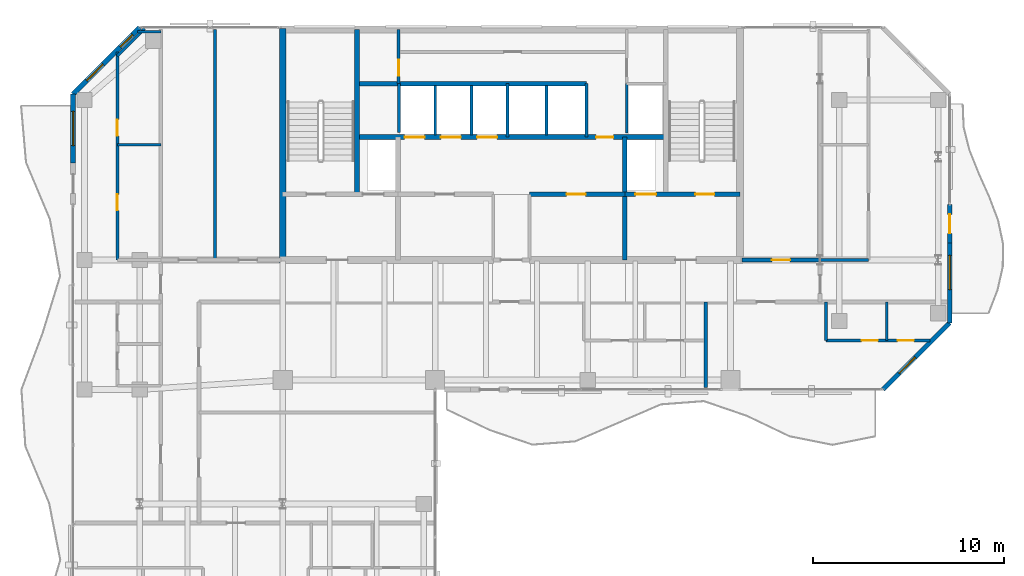
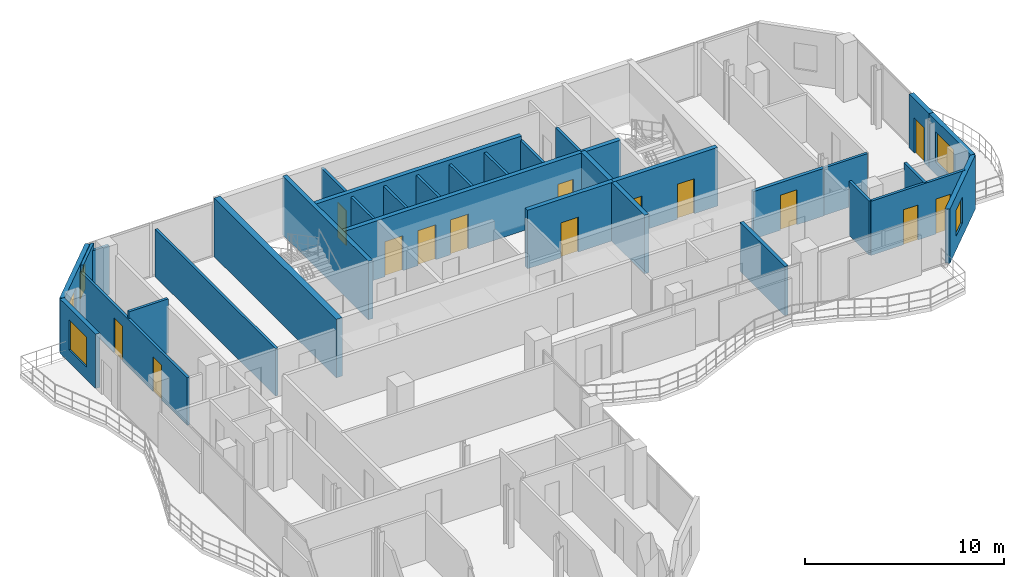
# One storey, part 19 of 23: 31 walls, 14 doors, 5 windows, 19 openings.
"""IFC4 building model written with IfcOpenShell, lengths in metres."""

from ifc_helpers import new_model, si_unit, direction, frame, frame_2d, origin, place, context, subcontext, project, spatial, rectangle, extrude, material, layer, layer_set, type_object, element, fill, save


model = new_model("IFC4")

# Units and contexts
model_context = context("Model", 3, precision=1e-05, world=origin(), true_north=direction((0.0, 1.0)))
body_context = subcontext(model_context, "Body", "Model", "MODEL_VIEW")
ifc_project = project(units=[si_unit("LENGTHUNIT", "METRE"), si_unit("AREAUNIT", "SQUARE_METRE"), si_unit("VOLUMEUNIT", "CUBIC_METRE"), si_unit("PLANEANGLEUNIT", "RADIAN"), si_unit("MASSUNIT", "GRAM", prefix="KILO")], contexts=[model_context])

# Site, building, storey
site_placement = place(None, origin())
site = spatial("IfcSite", under=ifc_project, at=site_placement, CompositionType="ELEMENT")
building_placement = place(site_placement, origin())
building = spatial("IfcBuilding", under=site, at=building_placement, Name="Catumbela Crestline Tower", CompositionType="ELEMENT")
storey_placement = place(building_placement, frame((0.0, 0.0, 186.6)))
storey = spatial("IfcBuildingStorey", under=building, at=storey_placement, Name="L48", CompositionType="ELEMENT", Elevation=186.6)

# Walls
ifc_material_1 = material(Name="Concrete C50/60", Category="concrete")
ifc_layer_1 = layer(ifc_material_1, 0.25, Name="Concrete C50/60")
ifc_layer_set_1 = layer_set([ifc_layer_1], Name="Concrete C50/60")
wall_type_1 = type_object("IfcWallType", Name="CW-250D", PredefinedType="SHEAR", material=ifc_layer_set_1)
wall_1_placement = place(storey_placement, frame((19.9, 34.25, 0.0), z_axis=(0.0, 0.0, 1.0), x_axis=(0.0, 1.0, 0.0)))
element("IfcWall", 1, at=wall_1_placement, inside=storey, type_object=wall_type_1, Name="L48 Structural Core Shear Wall WWEB", PredefinedType="SHEAR", context=body_context, shape_type="SweptSolid", body=[
    extrude(rectangle(XDim=8.65, YDim=0.25, at=frame_2d((4.325, 0.0))), origin(), (0.0, 0.0, 1.0), 3.6),
])
wall_2_placement = place(storey_placement, frame((33.95, 30.8, 0.0), z_axis=(0.0, 0.0, 1.0), x_axis=(0.0, 1.0, 0.0)))
element("IfcWall", 2, at=wall_2_placement, inside=storey, type_object=wall_type_1, Name="L48 Structural Core Shear Wall FFE", PredefinedType="SHEAR", context=body_context, shape_type="SweptSolid", body=[
    extrude(rectangle(XDim=6.45, YDim=0.25, at=frame_2d((3.225, 0.0))), origin(), (0.0, 0.0, 1.0), 3.6),
])

# Wall, openings, doors
wall_3_placement = place(storey_placement, frame((33.95, 34.25, 0.0), z_axis=(0.0, 0.0, 1.0), x_axis=(1.0, 0.0, 0.0)))
wall_3 = element("IfcWall", 3, at=wall_3_placement, inside=storey, type_object=wall_type_1, Name="L48 Structural Core Shear Wall ST2S", PredefinedType="SHEAR", context=body_context, shape_type="SweptSolid", body=[
    extrude(rectangle(XDim=6.05, YDim=0.25, at=frame_2d((3.025, 0.0))), origin(), (0.0, 0.0, 1.0), 3.6),
])
opening_1_placement = place(wall_3_placement, frame((3.7, 0.0, 0.0)))
opening_1 = element("IfcOpeningElement", 4, at=opening_1_placement, cuts=wall_3, Name="Opening DF9-100", PredefinedType="OPENING", context=body_context, shape_type="SweptSolid", body=[
    extrude(rectangle(XDim=1.0, YDim=2.15, at=frame_2d((0.5, 1.075))), frame((0.0, 0.135, 0.0), z_axis=(0.0, -1.0, 0.0), x_axis=(1.0, 0.0, 0.0)), (0.0, 0.0, 1.0), 0.27),
])
opening_2_placement = place(wall_3_placement, frame((0.55, 0.0, 0.0)))
opening_2 = element("IfcOpeningElement", 5, at=opening_2_placement, cuts=wall_3, Name="Opening LD-110", PredefinedType="OPENING", context=body_context, shape_type="SweptSolid", body=[
    extrude(rectangle(XDim=1.1, YDim=2.15, at=frame_2d((0.55, 1.075))), frame((0.0, 0.135, 0.0), z_axis=(0.0, -1.0, 0.0), x_axis=(1.0, 0.0, 0.0)), (0.0, 0.0, 1.0), 0.27),
])
ifc_material_2 = material(Name="Stainless steel EN 1.4401", Category="steel")
door_type_1 = type_object("IfcDoorType", Name="DF9-100", OperationType="NOTDEFINED", PredefinedType="DOOR", material=ifc_material_2)
door_1_placement = place(opening_1_placement, origin())
door_1 = element("IfcDoor", 6, at=door_1_placement, inside=storey, type_object=door_type_1, Name="L48 Interior Door DR-L48-ST02", OperationType="SINGLE_SWING_RIGHT", OverallHeight=2.15, OverallWidth=1.0, PredefinedType="DOOR", context=body_context, shape_type="SweptSolid", body=[
    extrude(rectangle(XDim=1.0, YDim=2.15, at=frame_2d((0.5, 1.075))), frame((0.0, 0.025, 0.0), z_axis=(0.0, -1.0, 0.0), x_axis=(1.0, 0.0, 0.0)), (0.0, 0.0, 1.0), 0.05),
])
fill(opening_1, door_1)
door_type_2 = type_object("IfcDoorType", Name="LD-110", OperationType="NOTDEFINED", PredefinedType="DOOR", material=ifc_material_2)
door_2_placement = place(opening_2_placement, origin())
door_2 = element("IfcDoor", 7, at=door_2_placement, inside=storey, type_object=door_type_2, Name="L48 Lift Landing Sliding Door FL-02", OperationType="DOUBLE_DOOR_SLIDING", OverallHeight=2.15, OverallWidth=1.1, PredefinedType="DOOR", context=body_context, shape_type="SweptSolid", body=[
    extrude(rectangle(XDim=1.1, YDim=2.15, at=frame_2d((0.55, 1.075))), frame((0.0, 0.025, 0.0), z_axis=(0.0, -1.0, 0.0), x_axis=(1.0, 0.0, 0.0)), (0.0, 0.0, 1.0), 0.05),
])
fill(opening_2, door_2)

# Wall, opening, door
wall_4_placement = place(storey_placement, frame((28.95, 34.25, 0.0), z_axis=(0.0, 0.0, 1.0), x_axis=(1.0, 0.0, 0.0)))
wall_4 = element("IfcWall", 8, at=wall_4_placement, inside=storey, type_object=wall_type_1, Name="L48 Structural Core Shear Wall LIFTS-E", PredefinedType="SHEAR", context=body_context, shape_type="SweptSolid", body=[
    extrude(rectangle(XDim=5.0, YDim=0.25, at=frame_2d((2.5, 0.0))), origin(), (0.0, 0.0, 1.0), 3.6),
])
opening_3_placement = place(wall_4_placement, frame((1.95, 0.0, 0.0)))
opening_3 = element("IfcOpeningElement", 9, at=opening_3_placement, cuts=wall_4, Name="Opening DF9-100", PredefinedType="OPENING", context=body_context, shape_type="SweptSolid", body=[
    extrude(rectangle(XDim=1.0, YDim=2.15, at=frame_2d((0.5, 1.075))), frame((0.0, 0.135, 0.0), z_axis=(0.0, -1.0, 0.0), x_axis=(1.0, 0.0, 0.0)), (0.0, 0.0, 1.0), 0.27),
])
door_3_placement = place(opening_3_placement, origin())
door_3 = element("IfcDoor", 10, at=door_3_placement, inside=storey, type_object=door_type_1, Name="L48 Interior Door DR-L48-RECL2", OperationType="SINGLE_SWING_RIGHT", OverallHeight=2.15, OverallWidth=1.0, PredefinedType="DOOR", context=body_context, shape_type="SweptSolid", body=[
    extrude(rectangle(XDim=1.0, YDim=2.15, at=frame_2d((0.5, 1.075))), frame((0.0, 0.025, 0.0), z_axis=(0.0, -1.0, 0.0), x_axis=(1.0, 0.0, 0.0)), (0.0, 0.0, 1.0), 0.05),
])
fill(opening_3, door_3)

# Wall, openings, doors
wall_5_placement = place(storey_placement, frame((19.9, 37.25, 0.0), z_axis=(0.0, 0.0, 1.0), x_axis=(1.0, 0.0, 0.0)))
wall_5 = element("IfcWall", 11, at=wall_5_placement, inside=storey, type_object=wall_type_1, Name="L48 Structural Core Shear Wall LIFTN", PredefinedType="SHEAR", context=body_context, shape_type="SweptSolid", body=[
    extrude(rectangle(XDim=16.2, YDim=0.25, at=frame_2d((8.1, 0.0))), origin(), (0.0, 0.0, 1.0), 3.6),
])
opening_4_placement = place(wall_5_placement, frame((12.55, 0.0, 0.0)))
opening_4 = element("IfcOpeningElement", 12, at=opening_4_placement, cuts=wall_5, Name="Opening DF9-090", PredefinedType="OPENING", context=body_context, shape_type="SweptSolid", body=[
    extrude(rectangle(XDim=0.9, YDim=2.15, at=frame_2d((0.45, 1.075))), frame((0.0, 0.135, 0.0), z_axis=(0.0, -1.0, 0.0), x_axis=(1.0, 0.0, 0.0)), (0.0, 0.0, 1.0), 0.27),
])
opening_5_placement = place(wall_5_placement, frame((2.5, 0.0, 0.0)))
opening_5 = element("IfcOpeningElement", 13, at=opening_5_placement, cuts=wall_5, Name="Opening LD-105", PredefinedType="OPENING", context=body_context, shape_type="SweptSolid", body=[
    extrude(rectangle(XDim=1.05, YDim=2.15, at=frame_2d((0.525, 1.075))), frame((0.0, 0.135, 0.0), z_axis=(0.0, -1.0, 0.0), x_axis=(1.0, 0.0, 0.0)), (0.0, 0.0, 1.0), 0.27),
])
opening_6_placement = place(wall_5_placement, frame((4.4, 0.0, 0.0)))
opening_6 = element("IfcOpeningElement", 14, at=opening_6_placement, cuts=wall_5, Name="Opening LD-105", PredefinedType="OPENING", context=body_context, shape_type="SweptSolid", body=[
    extrude(rectangle(XDim=1.05, YDim=2.15, at=frame_2d((0.525, 1.075))), frame((0.0, 0.135, 0.0), z_axis=(0.0, -1.0, 0.0), x_axis=(1.0, 0.0, 0.0)), (0.0, 0.0, 1.0), 0.27),
])
opening_7_placement = place(wall_5_placement, frame((6.3, 0.0, 0.0)))
opening_7 = element("IfcOpeningElement", 15, at=opening_7_placement, cuts=wall_5, Name="Opening LD-105", PredefinedType="OPENING", context=body_context, shape_type="SweptSolid", body=[
    extrude(rectangle(XDim=1.05, YDim=2.15, at=frame_2d((0.525, 1.075))), frame((0.0, 0.135, 0.0), z_axis=(0.0, -1.0, 0.0), x_axis=(1.0, 0.0, 0.0)), (0.0, 0.0, 1.0), 0.27),
])
door_type_3 = type_object("IfcDoorType", Name="DF9-090", OperationType="NOTDEFINED", PredefinedType="DOOR", material=ifc_material_2)
door_4_placement = place(opening_4_placement, origin())
door_4 = element("IfcDoor", 16, at=door_4_placement, inside=storey, type_object=door_type_3, Name="L48 Interior Door DR-L48-CPAS1", OperationType="SINGLE_SWING_LEFT", OverallHeight=2.15, OverallWidth=0.9, PredefinedType="DOOR", context=body_context, shape_type="SweptSolid", body=[
    extrude(rectangle(XDim=0.9, YDim=2.15, at=frame_2d((0.45, 1.075))), frame((0.0, 0.025, 0.0), z_axis=(0.0, -1.0, 0.0), x_axis=(1.0, 0.0, 0.0)), (0.0, 0.0, 1.0), 0.05),
])
fill(opening_4, door_4)
door_type_4 = type_object("IfcDoorType", Name="LD-105", OperationType="NOTDEFINED", PredefinedType="DOOR", material=ifc_material_2)
door_5_placement = place(opening_5_placement, origin())
door_5 = element("IfcDoor", 17, at=door_5_placement, inside=storey, type_object=door_type_4, Name="L48 Lift Landing Sliding Door PL-H1", OperationType="DOUBLE_DOOR_SLIDING", OverallHeight=2.15, OverallWidth=1.05, PredefinedType="DOOR", context=body_context, shape_type="SweptSolid", body=[
    extrude(rectangle(XDim=1.05, YDim=2.15, at=frame_2d((0.525, 1.075))), frame((0.0, 0.025, 0.0), z_axis=(0.0, -1.0, 0.0), x_axis=(1.0, 0.0, 0.0)), (0.0, 0.0, 1.0), 0.05),
])
fill(opening_5, door_5)
door_6_placement = place(opening_6_placement, origin())
door_6 = element("IfcDoor", 18, at=door_6_placement, inside=storey, type_object=door_type_4, Name="L48 Lift Landing Sliding Door PL-H2", OperationType="DOUBLE_DOOR_SLIDING", OverallHeight=2.15, OverallWidth=1.05, PredefinedType="DOOR", context=body_context, shape_type="SweptSolid", body=[
    extrude(rectangle(XDim=1.05, YDim=2.15, at=frame_2d((0.525, 1.075))), frame((0.0, 0.025, 0.0), z_axis=(0.0, -1.0, 0.0), x_axis=(1.0, 0.0, 0.0)), (0.0, 0.0, 1.0), 0.05),
])
fill(opening_6, door_6)
door_7_placement = place(opening_7_placement, origin())
door_7 = element("IfcDoor", 19, at=door_7_placement, inside=storey, type_object=door_type_4, Name="L48 Lift Landing Sliding Door PL-H3", OperationType="DOUBLE_DOOR_SLIDING", OverallHeight=2.15, OverallWidth=1.05, PredefinedType="DOOR", context=body_context, shape_type="SweptSolid", body=[
    extrude(rectangle(XDim=1.05, YDim=2.15, at=frame_2d((0.525, 1.075))), frame((0.0, 0.025, 0.0), z_axis=(0.0, -1.0, 0.0), x_axis=(1.0, 0.0, 0.0)), (0.0, 0.0, 1.0), 0.05),
])
fill(opening_7, door_7)

# Walls
wall_6_placement = place(storey_placement, frame((19.9, 40.05, 0.0), z_axis=(0.0, 0.0, 1.0), x_axis=(1.0, 0.0, 0.0)))
element("IfcWall", 20, at=wall_6_placement, inside=storey, type_object=wall_type_1, Name="L48 Structural Core Shear Wall COREN", PredefinedType="SHEAR", context=body_context, shape_type="SweptSolid", body=[
    extrude(rectangle(XDim=12.05, YDim=0.25, at=frame_2d((6.025, 0.0))), origin(), (0.0, 0.0, 1.0), 3.6),
])
ifc_layer_2 = layer(ifc_material_1, 0.35, Name="Concrete C50/60")
ifc_layer_set_2 = layer_set([ifc_layer_2], Name="Concrete C50/60")
wall_type_2 = type_object("IfcWallType", Name="CW-350B", PredefinedType="SHEAR", material=ifc_layer_set_2)
wall_7_placement = place(storey_placement, frame((16.0, 30.65, 0.0), z_axis=(0.0, 0.0, 1.0), x_axis=(0.0, 1.0, 0.0)))
element("IfcWall", 21, at=wall_7_placement, inside=storey, type_object=wall_type_2, Name="L48 Structural Core Shear Wall W", PredefinedType="SHEAR", context=body_context, shape_type="SweptSolid", body=[
    extrude(rectangle(XDim=12.3, YDim=0.35, at=frame_2d((6.15, 0.0))), origin(), (0.0, 0.0, 1.0), 3.6),
])

# Wall, opening, door
ifc_material_3 = material(Name="Acoustic gypsum and mineral-wool partition")
ifc_layer_3 = layer(ifc_material_3, 0.2, Name="Acoustic gypsum and mineral-wool partition")
ifc_layer_set_3 = layer_set([ifc_layer_3], Name="Acoustic gypsum and mineral-wool partition")
wall_type_3 = type_object("IfcWallType", Name="WC-200", PredefinedType="PARTITIONING", material=ifc_layer_set_3)
wall_8_placement = place(storey_placement, frame((40.1, 30.8, 0.0), z_axis=(0.0, 0.0, 1.0), x_axis=(1.0, 0.0, 0.0)))
wall_8 = element("IfcWall", 22, at=wall_8_placement, inside=storey, type_object=wall_type_3, Name="L48 Interior Partition PW-L48-NERM-ENT", PredefinedType="PARTITIONING", context=body_context, shape_type="SweptSolid", body=[
    extrude(rectangle(XDim=4.1, YDim=0.2, at=frame_2d((2.05, 0.0))), origin(), (0.0, 0.0, 1.0), 2.92),
])
opening_8_placement = place(wall_8_placement, frame((1.575, 0.0, 0.0)))
opening_8 = element("IfcOpeningElement", 23, at=opening_8_placement, cuts=wall_8, Name="Opening DF6-095", PredefinedType="OPENING", context=body_context, shape_type="SweptSolid", body=[
    extrude(rectangle(XDim=0.95, YDim=2.15, at=frame_2d((0.475, 1.075))), frame((0.0, 0.11, 0.0), z_axis=(0.0, -1.0, 0.0), x_axis=(1.0, 0.0, 0.0)), (0.0, 0.0, 1.0), 0.22),
])
ifc_material_4 = material(Name="Aluminium alloy AW-6060-T66", Category="aluminium")
door_type_5 = type_object("IfcDoorType", Name="DF6-095", OperationType="NOTDEFINED", PredefinedType="DOOR", material=ifc_material_4)
door_8_placement = place(opening_8_placement, origin())
door_8 = element("IfcDoor", 24, at=door_8_placement, inside=storey, type_object=door_type_5, Name="L48 Interior Door DR-L48-NERM-ENT", OperationType="SINGLE_SWING_LEFT", OverallHeight=2.15, OverallWidth=0.95, PredefinedType="DOOR", context=body_context, shape_type="SweptSolid", body=[
    extrude(rectangle(XDim=0.95, YDim=2.15, at=frame_2d((0.475, 1.075))), frame((0.0, 0.025, 0.0), z_axis=(0.0, -1.0, 0.0), x_axis=(1.0, 0.0, 0.0)), (0.0, 0.0, 1.0), 0.05),
])
fill(opening_8, door_8)

# Wall, opening, window
ifc_material_5 = material(Name="Angolan grey-ochre granite", Category="masonry")
ifc_layer_4 = layer(ifc_material_5, 0.25, Name="Angolan grey-ochre granite")
ifc_layer_set_4 = layer_set([ifc_layer_4], Name="Angolan grey-ochre granite")
wall_type_4 = type_object("IfcWallType", Name="WE-250", PredefinedType="STANDARD", material=ifc_layer_set_4)
wall_9_placement = place(storey_placement, frame((47.5, 24.0, 0.0), z_axis=(0.0, 0.0, 1.0), x_axis=(0.707106781187, 0.707106781187, 0.0)))
wall_9 = element("IfcWall", 25, at=wall_9_placement, inside=storey, type_object=wall_type_4, Name="L48 Granite Punched Window Wall 4-1", PredefinedType="STANDARD", context=body_context, shape_type="SweptSolid", body=[
    extrude(rectangle(XDim=4.9497, YDim=0.25, at=frame_2d((2.4748, 0.0))), origin(), (0.0, 0.0, 1.0), 3.33),
])
opening_9_placement = place(wall_9_placement, frame((1.1962, 0.0, 0.85)))
opening_9 = element("IfcOpeningElement", 26, at=opening_9_placement, cuts=wall_9, Name="Opening WN-02", PredefinedType="OPENING", context=body_context, shape_type="SweptSolid", body=[
    extrude(rectangle(XDim=1.2, YDim=1.6, at=frame_2d((0.6, 0.8))), frame((0.0, 0.135, 0.0), z_axis=(0.0, -1.0, 0.0), x_axis=(1.0, 0.0, 0.0)), (0.0, 0.0, 1.0), 0.27),
])
ifc_material_6 = material(Name="Low-E laminated solar-control double glazing", Category="glass")
window_type_1 = type_object("IfcWindowType", Name="WO-1200", PartitioningType="SINGLE_PANEL", PredefinedType="WINDOW", material=ifc_material_6)
window_1_placement = place(opening_9_placement, origin())
window_1 = element("IfcWindow", 27, at=window_1_placement, inside=storey, type_object=window_type_1, Name="L48 Facade Vision Window 306", OverallHeight=1.6, OverallWidth=1.2, PartitioningType="SINGLE_PANEL", PredefinedType="WINDOW", context=body_context, shape_type="SweptSolid", body=[
    extrude(rectangle(XDim=1.2, YDim=1.6, at=frame_2d((0.6, 0.8))), frame((0.0, 0.03, 0.0), z_axis=(0.0, -1.0, 0.0), x_axis=(1.0, 0.0, 0.0)), (0.0, 0.0, 1.0), 0.06),
])
fill(opening_9, window_1)

# Wall, opening, door
wall_10_placement = place(storey_placement, frame((51.0, 31.7, 0.0), z_axis=(0.0, 0.0, 1.0), x_axis=(0.0, 1.0, 0.0)))
wall_10 = element("IfcWall", 28, at=wall_10_placement, inside=storey, type_object=wall_type_4, Name="L48 Exterior Threshold Portal Wall DR-L48-WBAL-2", PredefinedType="STANDARD", context=body_context, shape_type="SweptSolid", body=[
    extrude(rectangle(XDim=2.0, YDim=0.25, at=frame_2d((1.0, 0.0))), origin(), (0.0, 0.0, 1.0), 3.33),
])
opening_10_placement = place(wall_10_placement, frame((0.5, 0.0, 0.0)))
opening_10 = element("IfcOpeningElement", 29, at=opening_10_placement, cuts=wall_10, Name="Opening DB-L48-2", PredefinedType="OPENING", context=body_context, shape_type="SweptSolid", body=[
    extrude(rectangle(XDim=1.0, YDim=2.15, at=frame_2d((0.5, 1.075))), frame((0.0, 0.135, 0.0), z_axis=(0.0, -1.0, 0.0), x_axis=(1.0, 0.0, 0.0)), (0.0, 0.0, 1.0), 0.27),
])
door_type_6 = type_object("IfcDoorType", Name="DB-1000", OperationType="NOTDEFINED", PredefinedType="DOOR", material=ifc_material_4)
door_9_placement = place(opening_10_placement, origin())
door_9 = element("IfcDoor", 30, at=door_9_placement, inside=storey, type_object=door_type_6, Name="L48 Wave Balcony Terrace Door 2", OperationType="SINGLE_SWING_LEFT", OverallHeight=2.15, OverallWidth=1.0, PredefinedType="DOOR", context=body_context, shape_type="SweptSolid", body=[
    extrude(rectangle(XDim=1.0, YDim=2.15, at=frame_2d((0.5, 1.075))), frame((0.0, 0.025, 0.0), z_axis=(0.0, -1.0, 0.0), x_axis=(1.0, 0.0, 0.0)), (0.0, 0.0, 1.0), 0.05),
])
fill(opening_10, door_9)

# Wall, opening, window
wall_11_placement = place(storey_placement, frame((51.0, 27.5, 0.0), z_axis=(0.0, 0.0, 1.0), x_axis=(0.0, 1.0, 0.0)))
wall_11 = element("IfcWall", 31, at=wall_11_placement, inside=storey, type_object=wall_type_4, Name="L48 Granite Punched Window Wall 5-1", PredefinedType="STANDARD", context=body_context, shape_type="SweptSolid", body=[
    extrude(rectangle(XDim=4.2, YDim=0.25, at=frame_2d((2.1, 0.0))), origin(), (0.0, 0.0, 1.0), 3.33),
])
opening_11_placement = place(wall_11_placement, frame((1.74, 0.0, 0.75)))
opening_11 = element("IfcOpeningElement", 32, at=opening_11_placement, cuts=wall_11, Name="Opening WN-01", PredefinedType="OPENING", context=body_context, shape_type="SweptSolid", body=[
    extrude(rectangle(XDim=1.8, YDim=1.85, at=frame_2d((0.9, 0.925))), frame((0.0, 0.135, 0.0), z_axis=(0.0, -1.0, 0.0), x_axis=(1.0, 0.0, 0.0)), (0.0, 0.0, 1.0), 0.27),
])
window_type_2 = type_object("IfcWindowType", Name="WF-1800", PartitioningType="SINGLE_PANEL", PredefinedType="WINDOW", material=ifc_material_6)
window_2_placement = place(opening_11_placement, origin())
window_2 = element("IfcWindow", 33, at=window_2_placement, inside=storey, type_object=window_type_2, Name="L48 Facade Vision Window 307", OverallHeight=1.85, OverallWidth=1.8, PartitioningType="SINGLE_PANEL", PredefinedType="WINDOW", context=body_context, shape_type="SweptSolid", body=[
    extrude(rectangle(XDim=1.8, YDim=1.85, at=frame_2d((0.9, 0.925))), frame((0.0, 0.03, 0.0), z_axis=(0.0, -1.0, 0.0), x_axis=(1.0, 0.0, 0.0)), (0.0, 0.0, 1.0), 0.06),
])
fill(opening_11, window_2)

# Wall, openings, windows
wall_12_placement = place(storey_placement, frame((8.5, 43.0, 0.0), z_axis=(0.0, 0.0, 1.0), x_axis=(-0.707106781187, -0.707106781187, 0.0)))
wall_12 = element("IfcWall", 34, at=wall_12_placement, inside=storey, type_object=wall_type_4, Name="L48 Granite Punched Window Wall 8-1", PredefinedType="STANDARD", context=body_context, shape_type="SweptSolid", body=[
    extrude(rectangle(XDim=4.9497, YDim=0.25, at=frame_2d((2.4748, 0.0))), origin(), (0.0, 0.0, 1.0), 3.33),
])
opening_12_placement = place(wall_12_placement, frame((0.54, 0.0, 0.9)))
opening_12 = element("IfcOpeningElement", 35, at=opening_12_placement, cuts=wall_12, Name="Opening WN-03", PredefinedType="OPENING", context=body_context, shape_type="SweptSolid", body=[
    extrude(rectangle(XDim=0.9, YDim=1.55, at=frame_2d((0.45, 0.775))), frame((0.0, 0.135, 0.0), z_axis=(0.0, -1.0, 0.0), x_axis=(1.0, 0.0, 0.0)), (0.0, 0.0, 1.0), 0.27),
])
opening_13_placement = place(wall_12_placement, frame((2.7346, 0.0, 0.85)))
opening_13 = element("IfcOpeningElement", 36, at=opening_13_placement, cuts=wall_12, Name="Opening WN-02", PredefinedType="OPENING", context=body_context, shape_type="SweptSolid", body=[
    extrude(rectangle(XDim=1.2, YDim=1.6, at=frame_2d((0.6, 0.8))), frame((0.0, 0.135, 0.0), z_axis=(0.0, -1.0, 0.0), x_axis=(1.0, 0.0, 0.0)), (0.0, 0.0, 1.0), 0.27),
])
window_type_3 = type_object("IfcWindowType", Name="WO-0900", PartitioningType="SINGLE_PANEL", PredefinedType="WINDOW", material=ifc_material_6)
window_3_placement = place(opening_12_placement, origin())
window_3 = element("IfcWindow", 37, at=window_3_placement, inside=storey, type_object=window_type_3, Name="L48 Facade Vision Window 309", OverallHeight=1.55, OverallWidth=0.9, PartitioningType="SINGLE_PANEL", PredefinedType="WINDOW", context=body_context, shape_type="SweptSolid", body=[
    extrude(rectangle(XDim=0.9, YDim=1.55, at=frame_2d((0.45, 0.775))), frame((0.0, 0.03, 0.0), z_axis=(0.0, -1.0, 0.0), x_axis=(1.0, 0.0, 0.0)), (0.0, 0.0, 1.0), 0.06),
])
fill(opening_12, window_3)
window_4_placement = place(opening_13_placement, origin())
window_4 = element("IfcWindow", 38, at=window_4_placement, inside=storey, type_object=window_type_1, Name="L48 Facade Vision Window 310", OverallHeight=1.6, OverallWidth=1.2, PartitioningType="SINGLE_PANEL", PredefinedType="WINDOW", context=body_context, shape_type="SweptSolid", body=[
    extrude(rectangle(XDim=1.2, YDim=1.6, at=frame_2d((0.6, 0.8))), frame((0.0, 0.03, 0.0), z_axis=(0.0, -1.0, 0.0), x_axis=(1.0, 0.0, 0.0)), (0.0, 0.0, 1.0), 0.06),
])
fill(opening_13, window_4)

# Wall, opening, window
wall_13_placement = place(storey_placement, frame((5.0, 39.5, 0.0), z_axis=(0.0, 0.0, 1.0), x_axis=(0.0, -1.0, 0.0)))
wall_13 = element("IfcWall", 39, at=wall_13_placement, inside=storey, type_object=wall_type_4, Name="L48 Granite Punched Window Wall 9-1", PredefinedType="STANDARD", context=body_context, shape_type="SweptSolid", body=[
    extrude(rectangle(XDim=3.6, YDim=0.25, at=frame_2d((1.8, 0.0))), origin(), (0.0, 0.0, 1.0), 3.33),
])
opening_14_placement = place(wall_13_placement, frame((0.9, 0.0, 0.75)))
opening_14 = element("IfcOpeningElement", 40, at=opening_14_placement, cuts=wall_13, Name="Opening WN-01", PredefinedType="OPENING", context=body_context, shape_type="SweptSolid", body=[
    extrude(rectangle(XDim=1.8, YDim=1.85, at=frame_2d((0.9, 0.925))), frame((0.0, 0.135, 0.0), z_axis=(0.0, -1.0, 0.0), x_axis=(1.0, 0.0, 0.0)), (0.0, 0.0, 1.0), 0.27),
])
window_5_placement = place(opening_14_placement, origin())
window_5 = element("IfcWindow", 41, at=window_5_placement, inside=storey, type_object=window_type_2, Name="L48 Facade Vision Window 311", OverallHeight=1.85, OverallWidth=1.8, PartitioningType="SINGLE_PANEL", PredefinedType="WINDOW", context=body_context, shape_type="SweptSolid", body=[
    extrude(rectangle(XDim=1.8, YDim=1.85, at=frame_2d((0.9, 0.925))), frame((0.0, 0.03, 0.0), z_axis=(0.0, -1.0, 0.0), x_axis=(1.0, 0.0, 0.0)), (0.0, 0.0, 1.0), 0.06),
])
fill(opening_14, window_5)

# Wall, opening, door
ifc_layer_5 = layer(ifc_material_3, 0.15, Name="Acoustic gypsum and mineral-wool partition")
ifc_layer_set_5 = layer_set([ifc_layer_5], Name="Acoustic gypsum and mineral-wool partition")
wall_type_5 = type_object("IfcWallType", Name="WP-150", PredefinedType="PARTITIONING", material=ifc_layer_set_5)
wall_14_placement = place(storey_placement, frame((22.08, 40.05, 0.0), z_axis=(0.0, 0.0, 1.0), x_axis=(0.0, 1.0, 0.0)))
wall_14 = element("IfcWall", 42, at=wall_14_placement, inside=storey, type_object=wall_type_5, Name="L48 Interior Partition PW-L48-CR-WCW", PredefinedType="PARTITIONING", context=body_context, shape_type="SweptSolid", body=[
    extrude(rectangle(XDim=2.85, YDim=0.15, at=frame_2d((1.425, 0.0))), origin(), (0.0, 0.0, 1.0), 3.33),
])
opening_15_placement = place(wall_14_placement, frame((0.41, 0.0, 0.0)))
opening_15 = element("IfcOpeningElement", 43, at=opening_15_placement, cuts=wall_14, Name="Opening DI-085", PredefinedType="OPENING", context=body_context, shape_type="SweptSolid", body=[
    extrude(rectangle(XDim=0.85, YDim=2.15, at=frame_2d((0.425, 1.075))), frame((0.0, 0.085, 0.0), z_axis=(0.0, -1.0, 0.0), x_axis=(1.0, 0.0, 0.0)), (0.0, 0.0, 1.0), 0.17),
])
door_type_7 = type_object("IfcDoorType", Name="DI-085", OperationType="NOTDEFINED", PredefinedType="DOOR", material=ifc_material_4)
door_10_placement = place(opening_15_placement, origin())
door_10 = element("IfcDoor", 44, at=door_10_placement, inside=storey, type_object=door_type_7, Name="L48 Interior Door DR-L48-CRWC", OperationType="SINGLE_SWING_LEFT", OverallHeight=2.15, OverallWidth=0.85, PredefinedType="DOOR", context=body_context, shape_type="SweptSolid", body=[
    extrude(rectangle(XDim=0.85, YDim=2.15, at=frame_2d((0.425, 1.075))), frame((0.0, 0.025, 0.0), z_axis=(0.0, -1.0, 0.0), x_axis=(1.0, 0.0, 0.0)), (0.0, 0.0, 1.0), 0.05),
])
fill(opening_15, door_10)

# Wall
wall_15_placement = place(storey_placement, frame((7.32, 36.85, 0.0), z_axis=(0.0, 0.0, 1.0), x_axis=(1.0, 0.0, 0.0)))
element("IfcWall", 45, at=wall_15_placement, inside=storey, type_object=wall_type_5, Name="L48 Interior Partition PW-L48-NW1-KBM", PredefinedType="PARTITIONING", context=body_context, shape_type="SweptSolid", body=[
    extrude(rectangle(XDim=2.28, YDim=0.15, at=frame_2d((1.14, 0.0))), origin(), (0.0, 0.0, 1.0), 3.33),
])

# Wall, openings, doors
wall_16_placement = place(storey_placement, frame((7.32, 30.8, 0.0), z_axis=(0.0, 0.0, 1.0), x_axis=(0.0, 1.0, 0.0)))
wall_16 = element("IfcWall", 46, at=wall_16_placement, inside=storey, type_object=wall_type_5, Name="L48 Interior Partition PW-L48-NW1-SK1", PredefinedType="PARTITIONING", context=body_context, shape_type="SweptSolid", body=[
    extrude(rectangle(XDim=10.92, YDim=0.15, at=frame_2d((5.46, 0.0))), origin(), (0.0, 0.0, 1.0), 2.92),
])
opening_16_placement = place(wall_16_placement, frame((2.6, 0.0, 0.0)))
opening_16 = element("IfcOpeningElement", 47, at=opening_16_placement, cuts=wall_16, Name="Opening DI-085", PredefinedType="OPENING", context=body_context, shape_type="SweptSolid", body=[
    extrude(rectangle(XDim=0.85, YDim=2.15, at=frame_2d((0.425, 1.075))), frame((0.0, 0.085, 0.0), z_axis=(0.0, -1.0, 0.0), x_axis=(1.0, 0.0, 0.0)), (0.0, 0.0, 1.0), 0.17),
])
opening_17_placement = place(wall_16_placement, frame((6.5117, 0.0, 0.0)))
opening_17 = element("IfcOpeningElement", 48, at=opening_17_placement, cuts=wall_16, Name="Opening DI-085", PredefinedType="OPENING", context=body_context, shape_type="SweptSolid", body=[
    extrude(rectangle(XDim=0.85, YDim=2.15, at=frame_2d((0.425, 1.075))), frame((0.0, 0.085, 0.0), z_axis=(0.0, -1.0, 0.0), x_axis=(1.0, 0.0, 0.0)), (0.0, 0.0, 1.0), 0.17),
])
door_11_placement = place(opening_16_placement, origin())
door_11 = element("IfcDoor", 49, at=door_11_placement, inside=storey, type_object=door_type_7, Name="L48 Interior Door DR-L48-NW1-KIT", OperationType="SINGLE_SWING_LEFT", OverallHeight=2.15, OverallWidth=0.85, PredefinedType="DOOR", context=body_context, shape_type="SweptSolid", body=[
    extrude(rectangle(XDim=0.85, YDim=2.15, at=frame_2d((0.425, 1.075))), frame((0.0, 0.025, 0.0), z_axis=(0.0, -1.0, 0.0), x_axis=(1.0, 0.0, 0.0)), (0.0, 0.0, 1.0), 0.05),
])
fill(opening_16, door_11)
door_12_placement = place(opening_17_placement, origin())
door_12 = element("IfcDoor", 50, at=door_12_placement, inside=storey, type_object=door_type_7, Name="L48 Interior Door DR-L48-NW1-BTH", OperationType="SINGLE_SWING_RIGHT", OverallHeight=2.15, OverallWidth=0.85, PredefinedType="DOOR", context=body_context, shape_type="SweptSolid", body=[
    extrude(rectangle(XDim=0.85, YDim=2.15, at=frame_2d((0.425, 1.075))), frame((0.0, 0.025, 0.0), z_axis=(0.0, -1.0, 0.0), x_axis=(1.0, 0.0, 0.0)), (0.0, 0.0, 1.0), 0.05),
])
fill(opening_17, door_12)

# Walls
wall_17_placement = place(storey_placement, frame((7.32, 41.5089, 0.0), z_axis=(0.0, 0.0, 1.0), x_axis=(0.707106781187, 0.707106781187, 0.0)))
element("IfcWall", 51, at=wall_17_placement, inside=storey, type_object=wall_type_5, Name="L48 Interior Partition PW-L48-NW1-BTH-BCL-2", PredefinedType="PARTITIONING", context=body_context, shape_type="SweptSolid", body=[
    extrude(rectangle(XDim=2.0087, YDim=0.15, at=frame_2d((1.0044, 0.0))), origin(), (0.0, 0.0, 1.0), 3.33),
])
wall_18_placement = place(storey_placement, frame((8.38, 42.78, 0.0), z_axis=(0.0, 0.0, 1.0), x_axis=(1.0, 0.0, 0.0)))
element("IfcWall", 52, at=wall_18_placement, inside=storey, type_object=wall_type_5, Name="L48 Interior Partition PW-L48-NW1-BTH-BCL-3", PredefinedType="PARTITIONING", context=body_context, shape_type="SweptSolid", body=[
    extrude(rectangle(XDim=1.22, YDim=0.15, at=frame_2d((0.61, 0.0))), origin(), (0.0, 0.0, 1.0), 3.02),
])
wall_19_placement = place(storey_placement, frame((12.45, 30.8, 0.0), z_axis=(0.0, 0.0, 1.0), x_axis=(0.0, 1.0, 0.0)))
element("IfcWall", 53, at=wall_19_placement, inside=storey, type_object=wall_type_5, Name="L48 Interior Partition PW-L48-NWSTM", PredefinedType="PARTITIONING", context=body_context, shape_type="SweptSolid", body=[
    extrude(rectangle(XDim=12.1, YDim=0.15, at=frame_2d((6.05, 0.0))), origin(), (0.0, 0.0, 1.0), 2.92),
])
wall_20_placement = place(storey_placement, frame((44.2, 30.8, 0.0), z_axis=(0.0, 0.0, 1.0), x_axis=(1.0, 0.0, 0.0)))
element("IfcWall", 54, at=wall_20_placement, inside=storey, type_object=wall_type_5, Name="L48 Interior Partition PW-L48-NE1-KBS", PredefinedType="PARTITIONING", context=body_context, shape_type="SweptSolid", body=[
    extrude(rectangle(XDim=2.546, YDim=0.15, at=frame_2d((1.273, 0.0))), origin(), (0.0, 0.0, 1.0), 2.92),
])
for number, where, z_axis, x_axis, name in (
    (55, (44.5, 26.576, 0.0), (0.0, 0.0, 1.0), (0.0, 1.0, 0.0), "L48 Interior Partition PW-L48-S2-KBW"),
    (56, (47.7, 26.576, 0.0), (0.0, 0.0, 1.0), (0.0, 1.0, 0.0), "L48 Interior Partition PW-L48-S2-KBM"),
):
    element("IfcWall", number, at=place(storey_placement, frame(where, z_axis=z_axis, x_axis=x_axis)), inside=storey, type_object=wall_type_5, Name=name, PredefinedType="PARTITIONING", context=body_context, shape_type="SweptSolid", body=[
        extrude(rectangle(XDim=2.024, YDim=0.15, at=frame_2d((1.012, 0.0))), origin(), (0.0, 0.0, 1.0), 3.33),
    ])

# Wall, openings, doors
wall_21_placement = place(storey_placement, frame((44.5, 26.576, 0.0), z_axis=(0.0, 0.0, 1.0), x_axis=(1.0, 0.0, 0.0)))
wall_21 = element("IfcWall", 57, at=wall_21_placement, inside=storey, type_object=wall_type_5, Name="L48 Interior Partition PW-L48-S2-KBD1", PredefinedType="PARTITIONING", context=body_context, shape_type="SweptSolid", body=[
    extrude(rectangle(XDim=5.476, YDim=0.15, at=frame_2d((2.738, 0.0))), origin(), (0.0, 0.0, 1.0), 3.33),
])
opening_18_placement = place(wall_21_placement, frame((1.8821, 0.0, 0.0)))
opening_18 = element("IfcOpeningElement", 58, at=opening_18_placement, cuts=wall_21, Name="Opening DI-085", PredefinedType="OPENING", context=body_context, shape_type="SweptSolid", body=[
    extrude(rectangle(XDim=0.85, YDim=2.15, at=frame_2d((0.425, 1.075))), frame((0.0, 0.085, 0.0), z_axis=(0.0, -1.0, 0.0), x_axis=(1.0, 0.0, 0.0)), (0.0, 0.0, 1.0), 0.17),
])
opening_19_placement = place(wall_21_placement, frame((3.7704, 0.0, 0.0)))
opening_19 = element("IfcOpeningElement", 59, at=opening_19_placement, cuts=wall_21, Name="Opening DI-085", PredefinedType="OPENING", context=body_context, shape_type="SweptSolid", body=[
    extrude(rectangle(XDim=0.85, YDim=2.15, at=frame_2d((0.425, 1.075))), frame((0.0, 0.085, 0.0), z_axis=(0.0, -1.0, 0.0), x_axis=(1.0, 0.0, 0.0)), (0.0, 0.0, 1.0), 0.17),
])
door_13_placement = place(opening_18_placement, origin())
door_13 = element("IfcDoor", 60, at=door_13_placement, inside=storey, type_object=door_type_7, Name="L48 Interior Door DR-L48-S2-BTH", OperationType="SINGLE_SWING_RIGHT", OverallHeight=2.15, OverallWidth=0.85, PredefinedType="DOOR", context=body_context, shape_type="SweptSolid", body=[
    extrude(rectangle(XDim=0.85, YDim=2.15, at=frame_2d((0.425, 1.075))), frame((0.0, 0.025, 0.0), z_axis=(0.0, -1.0, 0.0), x_axis=(1.0, 0.0, 0.0)), (0.0, 0.0, 1.0), 0.05),
])
fill(opening_18, door_13)
door_14_placement = place(opening_19_placement, origin())
door_14 = element("IfcDoor", 61, at=door_14_placement, inside=storey, type_object=door_type_7, Name="L48 Interior Door DR-L48-S2-KIT", OperationType="SINGLE_SWING_LEFT", OverallHeight=2.15, OverallWidth=0.85, PredefinedType="DOOR", context=body_context, shape_type="SweptSolid", body=[
    extrude(rectangle(XDim=0.85, YDim=2.15, at=frame_2d((0.425, 1.075))), frame((0.0, 0.025, 0.0), z_axis=(0.0, -1.0, 0.0), x_axis=(1.0, 0.0, 0.0)), (0.0, 0.0, 1.0), 0.05),
])
fill(opening_19, door_14)

# Walls
ifc_layer_6 = layer(ifc_material_3, 0.2, Name="Acoustic gypsum and mineral-wool partition")
ifc_layer_set_6 = layer_set([ifc_layer_6], Name="Acoustic gypsum and mineral-wool partition")
wall_type_6 = type_object("IfcWallType", Name="WY-200", PredefinedType="PARTITIONING", material=ifc_layer_set_6)
wall_22_placement = place(storey_placement, frame((38.2, 24.1, 0.0), z_axis=(0.0, 0.0, 1.0), x_axis=(0.0, 1.0, 0.0)))
element("IfcWall", 62, at=wall_22_placement, inside=storey, type_object=wall_type_6, Name="L48 Interior Partition PW-L48-RSPP-2", PredefinedType="PARTITIONING", context=body_context, shape_type="SweptSolid", body=[
    extrude(rectangle(XDim=4.5, YDim=0.2, at=frame_2d((2.25, 0.0))), origin(), (0.0, 0.0, 1.0), 3.02),
])
ifc_layer_7 = layer(ifc_material_3, 0.15, Name="Acoustic gypsum and mineral-wool partition")
ifc_layer_set_7 = layer_set([ifc_layer_7], Name="Acoustic gypsum and mineral-wool partition")
wall_type_7 = type_object("IfcWallType", Name="WS-150", PredefinedType="PLUMBINGWALL", material=ifc_layer_set_7)
wall_23_placement = place(storey_placement, frame((22.1, 37.4897, 0.0), z_axis=(0.0, 0.0, 1.0), x_axis=(0.0, 1.0, 0.0)))
element("IfcWall", 63, at=wall_23_placement, inside=storey, type_object=wall_type_7, Name="L48 Interior Partition PW-L48-SHH0", PredefinedType="PLUMBINGWALL", context=body_context, shape_type="SweptSolid", body=[
    extrude(rectangle(XDim=2.5603, YDim=0.15, at=frame_2d((1.2801, 0.0))), origin(), (0.0, 0.0, 1.0), 3.33),
])
wall_24_placement = place(storey_placement, frame((27.8, 37.25, 0.0), z_axis=(0.0, 0.0, 1.0), x_axis=(0.0, 1.0, 0.0)))
element("IfcWall", 64, at=wall_24_placement, inside=storey, type_object=wall_type_7, Name="L48 Interior Partition PW-L48-SHH3", PredefinedType="PLUMBINGWALL", context=body_context, shape_type="SweptSolid", body=[
    extrude(rectangle(XDim=2.8, YDim=0.15, at=frame_2d((1.4, 0.0))), origin(), (0.0, 0.0, 1.0), 3.33),
])
for number, where, z_axis, x_axis, name in (
    (65, (24.0, 37.35, 0.0), (0.0, 0.0, 1.0), (0.0, 1.0, 0.0), "L48 Interior Partition PW-L48-SHH1"),
    (66, (25.9, 37.35, 0.0), (0.0, 0.0, 1.0), (0.0, 1.0, 0.0), "L48 Interior Partition PW-L48-SHH2"),
):
    element("IfcWall", number, at=place(storey_placement, frame(where, z_axis=z_axis, x_axis=x_axis)), inside=storey, type_object=wall_type_7, Name=name, PredefinedType="PLUMBINGWALL", context=body_context, shape_type="SweptSolid", body=[
        extrude(rectangle(XDim=2.6, YDim=0.15, at=frame_2d((1.3, 0.0))), origin(), (0.0, 0.0, 1.0), 3.33),
    ])
wall_25_placement = place(storey_placement, frame((31.95, 37.25, 0.0), z_axis=(0.0, 0.0, 1.0), x_axis=(0.0, 1.0, 0.0)))
element("IfcWall", 67, at=wall_25_placement, inside=storey, type_object=wall_type_7, Name="L48 Interior Partition PW-L48-SHEX2E", PredefinedType="PLUMBINGWALL", context=body_context, shape_type="SweptSolid", body=[
    extrude(rectangle(XDim=2.8, YDim=0.15, at=frame_2d((1.4, 0.0))), origin(), (0.0, 0.0, 1.0), 3.33),
])
wall_26_placement = place(storey_placement, frame((29.85, 37.35, 0.0), z_axis=(0.0, 0.0, 1.0), x_axis=(0.0, 1.0, 0.0)))
element("IfcWall", 68, at=wall_26_placement, inside=storey, type_object=wall_type_7, Name="L48 Interior Partition PW-L48-SHEX1", PredefinedType="PLUMBINGWALL", context=body_context, shape_type="SweptSolid", body=[
    extrude(rectangle(XDim=2.6, YDim=0.15, at=frame_2d((1.3, 0.0))), origin(), (0.0, 0.0, 1.0), 3.33),
])
wall_27_placement = place(storey_placement, frame((34.05, 37.4734, 0.0), z_axis=(0.0, 0.0, 1.0), x_axis=(0.0, 1.0, 0.0)))
element("IfcWall", 69, at=wall_27_placement, inside=storey, type_object=wall_type_7, Name="L48 Interior Partition PW-L48-RISW", PredefinedType="PLUMBINGWALL", context=body_context, shape_type="SweptSolid", body=[
    extrude(rectangle(XDim=2.5766, YDim=0.15, at=frame_2d((1.2883, 0.0))), origin(), (0.0, 0.0, 1.0), 3.33),
])

save(model, "model.ifc")
